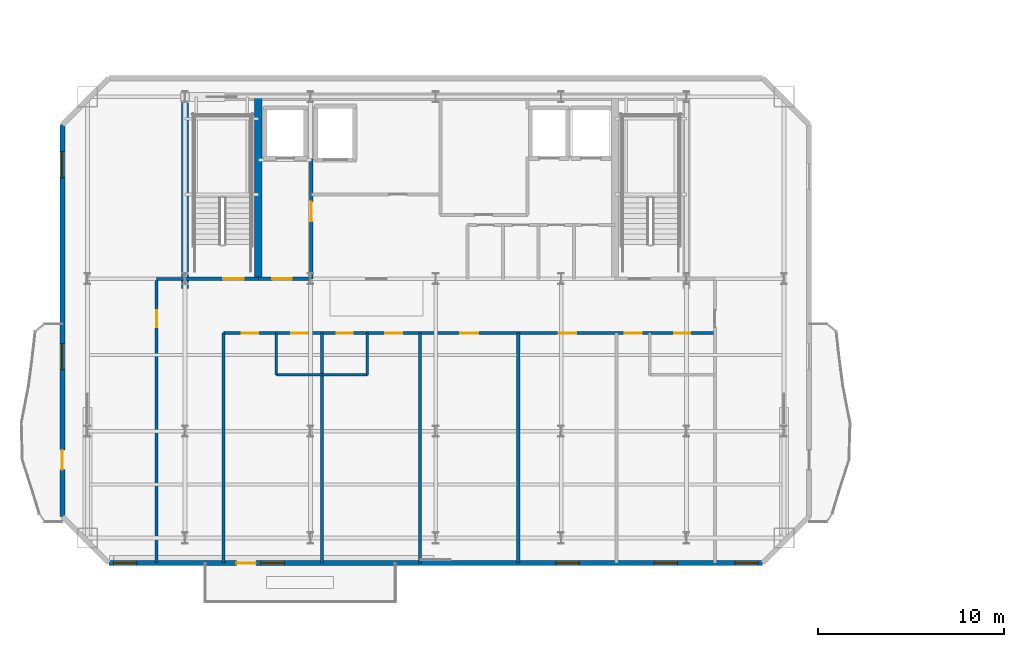
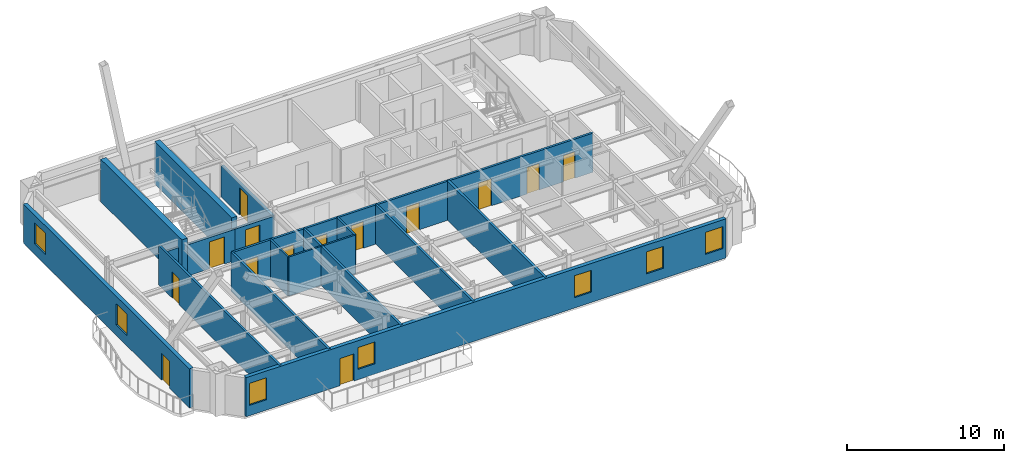
# One storey, part 5 of 14: 18 walls, 14 doors, 7 windows, 21 openings.
"""IFC4 building model written with IfcOpenShell, lengths in metres."""

from ifc_helpers import new_model, si_unit, direction, frame, frame_2d, origin, place, context, subcontext, project, spatial, rectangle, extrude, material, layer, layer_set, type_object, element, fill, save


model = new_model("IFC4")

# Units and contexts
model_context = context("Model", 3, precision=1e-05, world=origin(), true_north=direction((0.0, 1.0)))
body_context = subcontext(model_context, "Body", "Model", "MODEL_VIEW")
ifc_project = project(units=[si_unit("LENGTHUNIT", "METRE"), si_unit("AREAUNIT", "SQUARE_METRE"), si_unit("VOLUMEUNIT", "CUBIC_METRE"), si_unit("PLANEANGLEUNIT", "RADIAN"), si_unit("MASSUNIT", "GRAM", prefix="KILO")], contexts=[model_context])

# Site, building, storey
site_placement = place(None, origin())
site = spatial("IfcSite", under=ifc_project, at=site_placement, CompositionType="ELEMENT")
building_placement = place(site_placement, origin())
building = spatial("IfcBuilding", under=site, at=building_placement, Name="Haevon Station Towers", CompositionType="ELEMENT")
storey_placement = place(building_placement, frame((0.0, 0.0, 228.60009765625)))
storey = spatial("IfcBuildingStorey", under=building, at=storey_placement, Name="L63", CompositionType="ELEMENT", Elevation=228.60009765625)

# Wall
ifc_material_1 = material(Name="Gypsum board on steel stud", Category="steel")
ifc_layer_1 = layer(ifc_material_1, 0.179931640625)
ifc_layer_set_1 = layer_set([ifc_layer_1], Name="Gypsum board on steel stud")
wall_type_1 = type_object("IfcWallType", Name="WL-ACU180", PredefinedType="PARTITIONING", material=ifc_layer_set_1)
wall_1_placement = place(storey_placement, frame((41.947021484375, 22.89990234375, 0.0), z_axis=(0.0, 0.0, 1.0), x_axis=(0.0, 1.0, 0.0)))
element("IfcWall", 1, at=wall_1_placement, inside=storey, type_object=wall_type_1, Name="WL-T1PT-L63-12", PredefinedType="PARTITIONING", context=body_context, shape_type="SweptSolid", body=[
    extrude(rectangle(XDim=12.380126953125, YDim=0.179931640625, at=frame_2d((6.18994140625, 0.0))), origin(), (0.0, 0.0, 1.0), 3.02978515625),
])

# Wall, opening, door
ifc_layer_2 = layer(ifc_material_1, 0.199951171875)
ifc_layer_set_2 = layer_set([ifc_layer_2], Name="Gypsum board on steel stud")
wall_type_2 = type_object("IfcWallType", Name="WL-COR200", PredefinedType="PARTITIONING", material=ifc_layer_set_2)
wall_2_placement = place(storey_placement, frame((24.0, 38.199951171875, 0.0), z_axis=(0.0, 0.0, 1.0), x_axis=(1.0, 0.0, 0.0)))
wall_2 = element("IfcWall", 2, at=wall_2_placement, inside=storey, type_object=wall_type_2, Name="WL-ST-ST1-L63", PredefinedType="PARTITIONING", context=body_context, shape_type="SweptSolid", body=[
    extrude(rectangle(XDim=3.949951171875, YDim=0.199951171875, at=frame_2d((1.97509765625, 0.0))), origin(), (0.0, 0.0, 1.0), 2.429931640625),
])
opening_1_placement = place(wall_2_placement, frame((2.050048828125, 0.0, 0.0)))
opening_1 = element("IfcOpeningElement", 3, at=opening_1_placement, cuts=wall_2, Name="Opening DR-ST-ST1-L63", PredefinedType="OPENING", context=body_context, shape_type="SweptSolid", body=[
    extrude(rectangle(XDim=1.1201171875, YDim=2.10009765625, at=frame_2d((0.56005859375, 1.050048828125))), frame((0.0, 0.10986328125, 0.0), z_axis=(0.0, -1.0, 0.0), x_axis=(1.0, 0.0, 0.0)), (0.0, 0.0, 1.0), 0.219970703125),
])
ifc_material_2 = material(Name="Engineered oak timber", Category="wood")
door_type_1 = type_object("IfcDoorType", Name="DR-ST-1120", OperationType="NOTDEFINED", PredefinedType="DOOR", material=ifc_material_2)
door_1_placement = place(opening_1_placement, origin())
door_1 = element("IfcDoor", 4, at=door_1_placement, inside=storey, type_object=door_type_1, Name="L63 Escape Stair ST1 Fire Door", OperationType="SINGLE_SWING_RIGHT", OverallHeight=2.10009765625, OverallWidth=1.1201171875, PredefinedType="DOOR", context=body_context, shape_type="SweptSolid", body=[
    extrude(rectangle(XDim=1.1201171875, YDim=2.10009765625, at=frame_2d((0.56005859375, 1.050048828125))), frame((0.0, 0.02490234375, 0.0), z_axis=(0.0, -1.0, 0.0), x_axis=(1.0, 0.0, 0.0)), (0.0, 0.0, 1.0), 0.050048828125),
])
fill(opening_1, door_1)

wall_3_placement = place(storey_placement, frame((30.800048828125, 38.199951171875, 0.0), z_axis=(0.0, 0.0, 1.0), x_axis=(0.0, 1.0, 0.0)))
wall_3 = element("IfcWall", 5, at=wall_3_placement, inside=storey, type_object=wall_type_2, Name="WL-T1FFL-L63-E", PredefinedType="PARTITIONING", context=body_context, shape_type="SweptSolid", body=[
    extrude(rectangle(XDim=6.449951171875, YDim=0.199951171875, at=frame_2d((3.22509765625, 0.0))), origin(), (0.0, 0.0, 1.0), 2.429931640625),
])
opening_2_placement = place(wall_3_placement, frame((3.10009765625, 0.0, 0.0)))
opening_2 = element("IfcOpeningElement", 6, at=opening_2_placement, cuts=wall_3, Name="Opening DR-T1FFL-L63-E", PredefinedType="OPENING", context=body_context, shape_type="SweptSolid", body=[
    extrude(rectangle(XDim=1.050048828125, YDim=2.10009765625, at=frame_2d((0.52490234375, 1.050048828125))), frame((0.0, 0.10986328125, 0.0), z_axis=(0.0, -1.0, 0.0), x_axis=(1.0, 0.0, 0.0)), (0.0, 0.0, 1.0), 0.219970703125),
])
door_type_2 = type_object("IfcDoorType", Name="DR-FD60-1050", OperationType="NOTDEFINED", PredefinedType="DOOR", material=ifc_material_2)
door_2_placement = place(opening_2_placement, origin())
door_2 = element("IfcDoor", 7, at=door_2_placement, inside=storey, type_object=door_type_2, Name="L63 Tower 1 Firefighting Lift Lobby Door E", OperationType="SINGLE_SWING_RIGHT", OverallHeight=2.10009765625, OverallWidth=1.050048828125, PredefinedType="DOOR", context=body_context, shape_type="SweptSolid", body=[
    extrude(rectangle(XDim=1.050048828125, YDim=2.10009765625, at=frame_2d((0.52490234375, 1.050048828125))), frame((0.0, 0.02490234375, 0.0), z_axis=(0.0, -1.0, 0.0), x_axis=(1.0, 0.0, 0.0)), (0.0, 0.0, 1.0), 0.050048828125),
])
fill(opening_2, door_2)

wall_4_placement = place(storey_placement, frame((27.949951171875, 38.199951171875, 0.0), z_axis=(0.0, 0.0, 1.0), x_axis=(1.0, 0.0, 0.0)))
wall_4 = element("IfcWall", 8, at=wall_4_placement, inside=storey, type_object=wall_type_2, Name="WL-T1FFL-L63-S", PredefinedType="PARTITIONING", context=body_context, shape_type="SweptSolid", body=[
    extrude(rectangle(XDim=2.85009765625, YDim=0.199951171875, at=frame_2d((1.425048828125, 0.0))), origin(), (0.0, 0.0, 1.0), 2.429931640625),
])
opening_3_placement = place(wall_4_placement, frame((0.75, 0.0, 0.0)))
opening_3 = element("IfcOpeningElement", 9, at=opening_3_placement, cuts=wall_4, Name="Opening DR-T1FFL-L63-S", PredefinedType="OPENING", context=body_context, shape_type="SweptSolid", body=[
    extrude(rectangle(XDim=1.050048828125, YDim=2.10009765625, at=frame_2d((0.52490234375, 1.050048828125))), frame((0.0, 0.10986328125, 0.0), z_axis=(0.0, -1.0, 0.0), x_axis=(1.0, 0.0, 0.0)), (0.0, 0.0, 1.0), 0.219970703125),
])
door_3_placement = place(opening_3_placement, origin())
door_3 = element("IfcDoor", 10, at=door_3_placement, inside=storey, type_object=door_type_2, Name="L63 Tower 1 Firefighting Lift Lobby Door S", OperationType="SINGLE_SWING_LEFT", OverallHeight=2.10009765625, OverallWidth=1.050048828125, PredefinedType="DOOR", context=body_context, shape_type="SweptSolid", body=[
    extrude(rectangle(XDim=1.050048828125, YDim=2.10009765625, at=frame_2d((0.52490234375, 1.050048828125))), frame((0.0, 0.02490234375, 0.0), z_axis=(0.0, -1.0, 0.0), x_axis=(1.0, 0.0, 0.0)), (0.0, 0.0, 1.0), 0.050048828125),
])
fill(opening_3, door_3)

# Walls
ifc_material_3 = material(Name="Concrete C60/75", Category="concrete")
ifc_layer_3 = layer(ifc_material_3, 0.39990234375)
ifc_layer_set_3 = layer_set([ifc_layer_3], Name="Concrete C60/75")
wall_type_3 = type_object("IfcWallType", Name="WL-CR400", PredefinedType="SHEAR", material=ifc_layer_set_3)
wall_5_placement = place(storey_placement, frame((24.0, 37.679931640625, 0.0), z_axis=(0.0, 0.0, 1.0), x_axis=(0.0, 1.0, 0.0)))
element("IfcWall", 11, at=wall_5_placement, inside=storey, type_object=wall_type_3, Name="WL-T1CR-L63-W", PredefinedType="SHEAR", context=body_context, shape_type="SweptSolid", body=[
    extrude(rectangle(XDim=10.320068359375, YDim=0.39990234375, at=frame_2d((5.16015625, 0.0))), origin(), (0.0, 0.0, 1.0), 3.2998046875),
])
wall_6_placement = place(storey_placement, frame((27.949951171875, 38.199951171875, 0.0), z_axis=(0.0, 0.0, 1.0), x_axis=(0.0, 1.0, 0.0)))
element("IfcWall", 12, at=wall_6_placement, inside=storey, type_object=wall_type_3, Name="WL-T1CR-L63-M1", PredefinedType="SHEAR", context=body_context, shape_type="SweptSolid", body=[
    extrude(rectangle(XDim=9.800048828125, YDim=0.39990234375, at=frame_2d((4.89990234375, 0.0))), origin(), (0.0, 0.0, 1.0), 3.2998046875),
])

# Wall, openings, door, windows
ifc_material_4 = material(Name="Precast concrete C45/55", Category="concrete")
ifc_layer_4 = layer(ifc_material_4, 0.280029296875)
ifc_layer_set_4 = layer_set([ifc_layer_4], Name="Precast concrete C45/55")
wall_type_4 = type_object("IfcWallType", Name="WL-EXT-PIER280", PredefinedType="SOLIDWALL", material=ifc_layer_set_4)
wall_7_placement = place(storey_placement, frame((55.10009765625, 22.89990234375, 0.0), z_axis=(0.0, 0.0, 1.0), x_axis=(-1.0, 0.0, 0.0)))
wall_7 = element("IfcWall", 13, at=wall_7_placement, inside=storey, type_object=wall_type_4, Name="WL-T1-L63-S", PredefinedType="SOLIDWALL", context=body_context, shape_type="SweptSolid", body=[
    extrude(rectangle(XDim=35.2001953125, YDim=0.280029296875, at=frame_2d((17.60009765625, 0.0))), origin(), (0.0, 0.0, 1.0), 3.02978515625),
])
opening_4_placement = place(wall_7_placement, frame((27.2900390625, 0.0, 0.0)))
opening_4 = element("IfcOpeningElement", 14, at=opening_4_placement, cuts=wall_7, Name="Opening DR-T1-PBAND-L63-1", PredefinedType="OPENING", context=body_context, shape_type="SweptSolid", body=[
    extrude(rectangle(XDim=1.050048828125, YDim=2.10009765625, at=frame_2d((0.52490234375, 1.050048828125))), frame((0.0, 0.14990234375, 0.0), z_axis=(0.0, -1.0, 0.0), x_axis=(1.0, 0.0, 0.0)), (0.0, 0.0, 1.0), 0.300048828125),
])
opening_5_placement = place(wall_7_placement, frame((33.699951171875, 0.0, 0.800048828125)))
opening_5 = element("IfcOpeningElement", 15, at=opening_5_placement, cuts=wall_7, Name="Opening WN-P125", PredefinedType="OPENING", context=body_context, shape_type="SweptSolid", body=[
    extrude(rectangle(XDim=1.25, YDim=1.699951171875, at=frame_2d((0.625, 0.85009765625))), frame((0.0, 0.14990234375, 0.0), z_axis=(0.0, -1.0, 0.0), x_axis=(1.0, 0.0, 0.0)), (0.0, 0.0, 1.0), 0.300048828125),
])
opening_6_placement = place(wall_7_placement, frame((0.25, 0.0, 0.800048828125)))
opening_6 = element("IfcOpeningElement", 16, at=opening_6_placement, cuts=wall_7, Name="Opening WN-P125", PredefinedType="OPENING", context=body_context, shape_type="SweptSolid", body=[
    extrude(rectangle(XDim=1.25, YDim=1.699951171875, at=frame_2d((0.625, 0.85009765625))), frame((0.0, 0.14990234375, 0.0), z_axis=(0.0, -1.0, 0.0), x_axis=(1.0, 0.0, 0.0)), (0.0, 0.0, 1.0), 0.300048828125),
])
opening_7_placement = place(wall_7_placement, frame((25.75048828125, 0.0, 0.800048828125)))
opening_7 = element("IfcOpeningElement", 17, at=opening_7_placement, cuts=wall_7, Name="Opening WN-P125", PredefinedType="OPENING", context=body_context, shape_type="SweptSolid", body=[
    extrude(rectangle(XDim=1.25, YDim=1.699951171875, at=frame_2d((0.625, 0.85009765625))), frame((0.0, 0.14990234375, 0.0), z_axis=(0.0, -1.0, 0.0), x_axis=(1.0, 0.0, 0.0)), (0.0, 0.0, 1.0), 0.300048828125),
])
opening_8_placement = place(wall_7_placement, frame((9.883544921875, 0.0, 0.800048828125)))
opening_8 = element("IfcOpeningElement", 18, at=opening_8_placement, cuts=wall_7, Name="Opening WN-P125", PredefinedType="OPENING", context=body_context, shape_type="SweptSolid", body=[
    extrude(rectangle(XDim=1.25, YDim=1.699951171875, at=frame_2d((0.625, 0.85009765625))), frame((0.0, 0.14990234375, 0.0), z_axis=(0.0, -1.0, 0.0), x_axis=(1.0, 0.0, 0.0)), (0.0, 0.0, 1.0), 0.300048828125),
])
opening_9_placement = place(wall_7_placement, frame((4.594482421875, 0.0, 0.800048828125)))
opening_9 = element("IfcOpeningElement", 19, at=opening_9_placement, cuts=wall_7, Name="Opening WN-P125", PredefinedType="OPENING", context=body_context, shape_type="SweptSolid", body=[
    extrude(rectangle(XDim=1.25, YDim=1.699951171875, at=frame_2d((0.625, 0.85009765625))), frame((0.0, 0.14990234375, 0.0), z_axis=(0.0, -1.0, 0.0), x_axis=(1.0, 0.0, 0.0)), (0.0, 0.0, 1.0), 0.300048828125),
])
ifc_material_5 = material(Name="Thermally broken anodised aluminium and laminated safety glass", Category="aluminium")
door_type_3 = type_object("IfcDoorType", Name="DR-BALC-1050", OperationType="NOTDEFINED", PredefinedType="DOOR", material=ifc_material_5)
door_4_placement = place(opening_4_placement, origin())
door_4 = element("IfcDoor", 20, at=door_4_placement, inside=storey, type_object=door_type_3, Name="Tower 1 L63 Balcony Terrace Door", OperationType="SINGLE_SWING_LEFT", OverallHeight=2.10009765625, OverallWidth=1.050048828125, PredefinedType="DOOR", context=body_context, shape_type="SweptSolid", body=[
    extrude(rectangle(XDim=1.050048828125, YDim=2.10009765625, at=frame_2d((0.52490234375, 1.050048828125))), frame((0.0, 0.02490234375, 0.0), z_axis=(0.0, -1.0, 0.0), x_axis=(1.0, 0.0, 0.0)), (0.0, 0.0, 1.0), 0.050048828125),
])
fill(opening_4, door_4)
ifc_material_6 = material(Name="Low-E triple glazing in thermally broken aluminium", Category="aluminium")
window_type_1 = type_object("IfcWindowType", Name="WN-P125", PartitioningType="SINGLE_PANEL", PredefinedType="WINDOW", material=ifc_material_6)
window_1_placement = place(opening_5_placement, origin())
window_1 = element("IfcWindow", 21, at=window_1_placement, inside=storey, type_object=window_type_1, Name="WN-T1-L63-S01", OverallHeight=1.699951171875, OverallWidth=1.25, PartitioningType="SINGLE_PANEL", PredefinedType="WINDOW", context=body_context, shape_type="SweptSolid", body=[
    extrude(rectangle(XDim=1.25, YDim=1.699951171875, at=frame_2d((0.625, 0.85009765625))), frame((0.0, 0.030029296875, 0.0), z_axis=(0.0, -1.0, 0.0), x_axis=(1.0, 0.0, 0.0)), (0.0, 0.0, 1.0), 0.06005859375),
])
fill(opening_5, window_1)
window_2_placement = place(opening_6_placement, origin())
window_2 = element("IfcWindow", 22, at=window_2_placement, inside=storey, type_object=window_type_1, Name="WN-T1-L63-S02", OverallHeight=1.699951171875, OverallWidth=1.25, PartitioningType="SINGLE_PANEL", PredefinedType="WINDOW", context=body_context, shape_type="SweptSolid", body=[
    extrude(rectangle(XDim=1.25, YDim=1.699951171875, at=frame_2d((0.625, 0.85009765625))), frame((0.0, 0.030029296875, 0.0), z_axis=(0.0, -1.0, 0.0), x_axis=(1.0, 0.0, 0.0)), (0.0, 0.0, 1.0), 0.06005859375),
])
fill(opening_6, window_2)
window_3_placement = place(opening_7_placement, origin())
window_3 = element("IfcWindow", 23, at=window_3_placement, inside=storey, type_object=window_type_1, Name="WN-T1-L63-S03", OverallHeight=1.699951171875, OverallWidth=1.25, PartitioningType="SINGLE_PANEL", PredefinedType="WINDOW", context=body_context, shape_type="SweptSolid", body=[
    extrude(rectangle(XDim=1.25, YDim=1.699951171875, at=frame_2d((0.625, 0.85009765625))), frame((0.0, 0.030029296875, 0.0), z_axis=(0.0, -1.0, 0.0), x_axis=(1.0, 0.0, 0.0)), (0.0, 0.0, 1.0), 0.06005859375),
])
fill(opening_7, window_3)
window_4_placement = place(opening_8_placement, origin())
window_4 = element("IfcWindow", 24, at=window_4_placement, inside=storey, type_object=window_type_1, Name="WN-T1-L63-S04", OverallHeight=1.699951171875, OverallWidth=1.25, PartitioningType="SINGLE_PANEL", PredefinedType="WINDOW", context=body_context, shape_type="SweptSolid", body=[
    extrude(rectangle(XDim=1.25, YDim=1.699951171875, at=frame_2d((0.625, 0.85009765625))), frame((0.0, 0.030029296875, 0.0), z_axis=(0.0, -1.0, 0.0), x_axis=(1.0, 0.0, 0.0)), (0.0, 0.0, 1.0), 0.06005859375),
])
fill(opening_8, window_4)
window_5_placement = place(opening_9_placement, origin())
window_5 = element("IfcWindow", 25, at=window_5_placement, inside=storey, type_object=window_type_1, Name="WN-T1-L63-S05", OverallHeight=1.699951171875, OverallWidth=1.25, PartitioningType="SINGLE_PANEL", PredefinedType="WINDOW", context=body_context, shape_type="SweptSolid", body=[
    extrude(rectangle(XDim=1.25, YDim=1.699951171875, at=frame_2d((0.625, 0.85009765625))), frame((0.0, 0.030029296875, 0.0), z_axis=(0.0, -1.0, 0.0), x_axis=(1.0, 0.0, 0.0)), (0.0, 0.0, 1.0), 0.06005859375),
])
fill(opening_9, window_5)

wall_8_placement = place(storey_placement, frame((17.39990234375, 25.39990234375, 0.0), z_axis=(0.0, 0.0, 1.0), x_axis=(0.0, 1.0, 0.0)))
wall_8 = element("IfcWall", 26, at=wall_8_placement, inside=storey, type_object=wall_type_4, Name="WL-T1-L63-W", PredefinedType="SOLIDWALL", context=body_context, shape_type="SweptSolid", body=[
    extrude(rectangle(XDim=21.10009765625, YDim=0.280029296875, at=frame_2d((10.550048828125, 0.0))), origin(), (0.0, 0.0, 1.0), 3.02978515625),
])
opening_10_placement = place(wall_8_placement, frame((2.52490234375, 0.0, 0.0)))
opening_10 = element("IfcOpeningElement", 27, at=opening_10_placement, cuts=wall_8, Name="Opening DR-T1-SCAL-L63-W", PredefinedType="OPENING", context=body_context, shape_type="SweptSolid", body=[
    extrude(rectangle(XDim=1.050048828125, YDim=2.10009765625, at=frame_2d((0.52490234375, 1.050048828125))), frame((0.0, 0.14990234375, 0.0), z_axis=(0.0, -1.0, 0.0), x_axis=(1.0, 0.0, 0.0)), (0.0, 0.0, 1.0), 0.300048828125),
])
opening_11_placement = place(wall_8_placement, frame((7.91064453125, 0.0, 0.800048828125)))
opening_11 = element("IfcOpeningElement", 28, at=opening_11_placement, cuts=wall_8, Name="Opening WN-END140", PredefinedType="OPENING", context=body_context, shape_type="SweptSolid", body=[
    extrude(rectangle(XDim=1.39990234375, YDim=1.64990234375, at=frame_2d((0.699951171875, 0.824951171875))), frame((0.0, 0.14990234375, 0.0), z_axis=(0.0, -1.0, 0.0), x_axis=(1.0, 0.0, 0.0)), (0.0, 0.0, 1.0), 0.300048828125),
])
opening_12_placement = place(wall_8_placement, frame((18.253662109375, 0.0, 0.800048828125)))
opening_12 = element("IfcOpeningElement", 29, at=opening_12_placement, cuts=wall_8, Name="Opening WN-END140", PredefinedType="OPENING", context=body_context, shape_type="SweptSolid", body=[
    extrude(rectangle(XDim=1.39990234375, YDim=1.64990234375, at=frame_2d((0.699951171875, 0.824951171875))), frame((0.0, 0.14990234375, 0.0), z_axis=(0.0, -1.0, 0.0), x_axis=(1.0, 0.0, 0.0)), (0.0, 0.0, 1.0), 0.300048828125),
])
door_5_placement = place(opening_10_placement, origin())
door_5 = element("IfcDoor", 30, at=door_5_placement, inside=storey, type_object=door_type_3, Name="Tower 1 L63 West Scalloped Balcony Door", OperationType="SINGLE_SWING_RIGHT", OverallHeight=2.10009765625, OverallWidth=1.050048828125, PredefinedType="DOOR", context=body_context, shape_type="SweptSolid", body=[
    extrude(rectangle(XDim=1.050048828125, YDim=2.10009765625, at=frame_2d((0.52490234375, 1.050048828125))), frame((0.0, 0.02490234375, 0.0), z_axis=(0.0, -1.0, 0.0), x_axis=(1.0, 0.0, 0.0)), (0.0, 0.0, 1.0), 0.050048828125),
])
fill(opening_10, door_5)
window_type_2 = type_object("IfcWindowType", Name="WN-END140", PartitioningType="SINGLE_PANEL", PredefinedType="WINDOW", material=ifc_material_6)
window_6_placement = place(opening_11_placement, origin())
window_6 = element("IfcWindow", 31, at=window_6_placement, inside=storey, type_object=window_type_2, Name="WN-T1-L63-W01", OverallHeight=1.64990234375, OverallWidth=1.39990234375, PartitioningType="SINGLE_PANEL", PredefinedType="WINDOW", context=body_context, shape_type="SweptSolid", body=[
    extrude(rectangle(XDim=1.39990234375, YDim=1.64990234375, at=frame_2d((0.699951171875, 0.824951171875))), frame((0.0, 0.030029296875, 0.0), z_axis=(0.0, -1.0, 0.0), x_axis=(1.0, 0.0, 0.0)), (0.0, 0.0, 1.0), 0.06005859375),
])
fill(opening_11, window_6)
window_7_placement = place(opening_12_placement, origin())
window_7 = element("IfcWindow", 32, at=window_7_placement, inside=storey, type_object=window_type_2, Name="WN-T1-L63-W02", OverallHeight=1.64990234375, OverallWidth=1.39990234375, PartitioningType="SINGLE_PANEL", PredefinedType="WINDOW", context=body_context, shape_type="SweptSolid", body=[
    extrude(rectangle(XDim=1.39990234375, YDim=1.64990234375, at=frame_2d((0.699951171875, 0.824951171875))), frame((0.0, 0.030029296875, 0.0), z_axis=(0.0, -1.0, 0.0), x_axis=(1.0, 0.0, 0.0)), (0.0, 0.0, 1.0), 0.06005859375),
])
fill(opening_12, window_7)

# Walls
ifc_layer_5 = layer(ifc_material_1, 0.125)
ifc_layer_set_5 = layer_set([ifc_layer_5], Name="Gypsum board on steel stud")
wall_type_5 = type_object("IfcWallType", Name="WL-PRT125", PredefinedType="PARTITIONING", material=ifc_layer_set_5)
wall_9_placement = place(storey_placement, frame((28.9189453125, 33.030029296875, 0.0), z_axis=(0.0, 0.0, 1.0), x_axis=(1.0, 0.0, 0.0)))
element("IfcWall", 33, at=wall_9_placement, inside=storey, type_object=wall_type_5, Name="WL-T1PT-L63-06", PredefinedType="PARTITIONING", context=body_context, shape_type="SweptSolid", body=[
    extrude(rectangle(XDim=2.449951171875, YDim=0.125, at=frame_2d((1.22509765625, 0.0))), origin(), (0.0, 0.0, 1.0), 3.02978515625),
])
wall_10_placement = place(storey_placement, frame((28.9189453125, 33.030029296875, 0.0), z_axis=(0.0, 0.0, 1.0), x_axis=(0.0, 1.0, 0.0)))
element("IfcWall", 34, at=wall_10_placement, inside=storey, type_object=wall_type_5, Name="WL-T1PT-L63-07", PredefinedType="PARTITIONING", context=body_context, shape_type="SweptSolid", body=[
    extrude(rectangle(XDim=2.25, YDim=0.125, at=frame_2d((1.125, 0.0))), origin(), (0.0, 0.0, 1.0), 3.02978515625),
])
wall_11_placement = place(storey_placement, frame((31.368896484375, 33.030029296875, 0.0), z_axis=(0.0, 0.0, 1.0), x_axis=(1.0, 0.0, 0.0)))
element("IfcWall", 35, at=wall_11_placement, inside=storey, type_object=wall_type_5, Name="WL-T1PT-L63-09", PredefinedType="PARTITIONING", context=body_context, shape_type="SweptSolid", body=[
    extrude(rectangle(XDim=2.4501953125, YDim=0.125, at=frame_2d((1.22509765625, 0.0))), origin(), (0.0, 0.0, 1.0), 3.02978515625),
])
wall_12_placement = place(storey_placement, frame((33.819091796875, 33.030029296875, 0.0), z_axis=(0.0, 0.0, 1.0), x_axis=(0.0, 1.0, 0.0)))
element("IfcWall", 36, at=wall_12_placement, inside=storey, type_object=wall_type_5, Name="WL-T1PT-L63-10", PredefinedType="PARTITIONING", context=body_context, shape_type="SweptSolid", body=[
    extrude(rectangle(XDim=2.25, YDim=0.125, at=frame_2d((1.125, 0.0))), origin(), (0.0, 0.0, 1.0), 3.02978515625),
])
ifc_layer_6 = layer(ifc_material_1, 0.159912109375)
ifc_layer_set_6 = layer_set([ifc_layer_6], Name="Gypsum board on steel stud")
wall_type_6 = type_object("IfcWallType", Name="WL-PRT160", PredefinedType="PARTITIONING", material=ifc_layer_set_6)
wall_13_placement = place(storey_placement, frame((26.080078125, 22.89990234375, 0.0), z_axis=(0.0, 0.0, 1.0), x_axis=(0.0, 1.0, 0.0)))
element("IfcWall", 37, at=wall_13_placement, inside=storey, type_object=wall_type_6, Name="WL-T1PT-L63-01", PredefinedType="PARTITIONING", context=body_context, shape_type="SweptSolid", body=[
    extrude(rectangle(XDim=12.380126953125, YDim=0.159912109375, at=frame_2d((6.18994140625, 0.0))), origin(), (0.0, 0.0, 1.0), 3.02978515625),
])
wall_14_placement = place(storey_placement, frame((22.47509765625, 38.199951171875, 0.0), z_axis=(0.0, 0.0, 1.0), x_axis=(1.0, 0.0, 0.0)))
element("IfcWall", 38, at=wall_14_placement, inside=storey, type_object=wall_type_6, Name="WL-T1PT-L63-02", PredefinedType="PARTITIONING", context=body_context, shape_type="SweptSolid", body=[
    extrude(rectangle(XDim=1.52490234375, YDim=0.159912109375, at=frame_2d((0.762451171875, 0.0))), origin(), (0.0, 0.0, 1.0), 2.429931640625),
])

# Wall, opening, door
wall_15_placement = place(storey_placement, frame((22.47509765625, 22.89990234375, 0.0), z_axis=(0.0, 0.0, 1.0), x_axis=(0.0, 1.0, 0.0)))
wall_15 = element("IfcWall", 39, at=wall_15_placement, inside=storey, type_object=wall_type_6, Name="WL-T1PT-L63-04", PredefinedType="PARTITIONING", context=body_context, shape_type="SweptSolid", body=[
    extrude(rectangle(XDim=15.300048828125, YDim=0.159912109375, at=frame_2d((7.64990234375, 0.0))), origin(), (0.0, 0.0, 1.0), 3.02978515625),
])
opening_13_placement = place(wall_15_placement, frame((12.699951171875, 0.0, 0.0)))
opening_13 = element("IfcOpeningElement", 40, at=opening_13_placement, cuts=wall_15, Name="Opening DR-WL-T1PT-L63-04-01", PredefinedType="OPENING", context=body_context, shape_type="SweptSolid", body=[
    extrude(rectangle(XDim=0.89990234375, YDim=2.050048828125, at=frame_2d((0.449951171875, 1.02490234375))), frame((0.0, 0.08984375, 0.0), z_axis=(0.0, -1.0, 0.0), x_axis=(1.0, 0.0, 0.0)), (0.0, 0.0, 1.0), 0.179931640625),
])
door_type_4 = type_object("IfcDoorType", Name="DR-INT-900", OperationType="NOTDEFINED", PredefinedType="DOOR", material=ifc_material_2)
door_6_placement = place(opening_13_placement, origin())
door_6 = element("IfcDoor", 41, at=door_6_placement, inside=storey, type_object=door_type_4, Name="L63 Tower 1 Room Door 4-1", OperationType="SINGLE_SWING_LEFT", OverallHeight=2.050048828125, OverallWidth=0.89990234375, PredefinedType="DOOR", context=body_context, shape_type="SweptSolid", body=[
    extrude(rectangle(XDim=0.89990234375, YDim=2.050048828125, at=frame_2d((0.449951171875, 1.02490234375))), frame((0.0, 0.02490234375, 0.0), z_axis=(0.0, -1.0, 0.0), x_axis=(1.0, 0.0, 0.0)), (0.0, 0.0, 1.0), 0.050048828125),
])
fill(opening_13, door_6)

# Walls
for number, where, z_axis, x_axis, name in (
    (42, (31.368896484375, 22.89990234375, 0.0), (0.0, 0.0, 1.0), (0.0, 1.0, 0.0), "WL-T1PT-L63-08"),
    (43, (36.657958984375, 22.89990234375, 0.0), (0.0, 0.0, 1.0), (0.0, 1.0, 0.0), "WL-T1PT-L63-11"),
):
    element("IfcWall", number, at=place(storey_placement, frame(where, z_axis=z_axis, x_axis=x_axis)), inside=storey, type_object=wall_type_6, Name=name, PredefinedType="PARTITIONING", context=body_context, shape_type="SweptSolid", body=[
        extrude(rectangle(XDim=12.380126953125, YDim=0.159912109375, at=frame_2d((6.18994140625, 0.0))), origin(), (0.0, 0.0, 1.0), 3.02978515625),
    ])

# Wall, openings, doors
wall_16_placement = place(storey_placement, frame((26.080078125, 35.280029296875, 0.0), z_axis=(0.0, 0.0, 1.0), x_axis=(1.0, 0.0, 0.0)))
wall_16 = element("IfcWall", 44, at=wall_16_placement, inside=storey, type_object=wall_type_6, Name="WL-T1PT-L63-16", PredefinedType="PARTITIONING", context=body_context, shape_type="SweptSolid", body=[
    extrude(rectangle(XDim=26.44482421875, YDim=0.159912109375, at=frame_2d((13.222412109375, 0.0))), origin(), (0.0, 0.0, 1.0), 3.02978515625),
])
opening_14_placement = place(wall_16_placement, frame((3.638916015625, 0.0, 0.0)))
opening_14 = element("IfcOpeningElement", 45, at=opening_14_placement, cuts=wall_16, Name="Opening DR-WL-T1PT-L63-16-01", PredefinedType="OPENING", context=body_context, shape_type="SweptSolid", body=[
    extrude(rectangle(XDim=0.85009765625, YDim=2.050048828125, at=frame_2d((0.425048828125, 1.02490234375))), frame((0.0, 0.08984375, 0.0), z_axis=(0.0, -1.0, 0.0), x_axis=(1.0, 0.0, 0.0)), (0.0, 0.0, 1.0), 0.179931640625),
])
opening_15_placement = place(wall_16_placement, frame((0.968994140625, 0.0, 0.0)))
opening_15 = element("IfcOpeningElement", 46, at=opening_15_placement, cuts=wall_16, Name="Opening DR-WL-T1PT-L63-16-02", PredefinedType="OPENING", context=body_context, shape_type="SweptSolid", body=[
    extrude(rectangle(XDim=0.89990234375, YDim=2.050048828125, at=frame_2d((0.449951171875, 1.02490234375))), frame((0.0, 0.08984375, 0.0), z_axis=(0.0, -1.0, 0.0), x_axis=(1.0, 0.0, 0.0)), (0.0, 0.0, 1.0), 0.179931640625),
])
opening_16_placement = place(wall_16_placement, frame((6.089111328125, 0.0, 0.0)))
opening_16 = element("IfcOpeningElement", 47, at=opening_16_placement, cuts=wall_16, Name="Opening DR-WL-T1PT-L63-16-03", PredefinedType="OPENING", context=body_context, shape_type="SweptSolid", body=[
    extrude(rectangle(XDim=0.85009765625, YDim=2.050048828125, at=frame_2d((0.425048828125, 1.02490234375))), frame((0.0, 0.08984375, 0.0), z_axis=(0.0, -1.0, 0.0), x_axis=(1.0, 0.0, 0.0)), (0.0, 0.0, 1.0), 0.179931640625),
])
opening_17_placement = place(wall_16_placement, frame((8.708984375, 0.0, 0.0)))
opening_17 = element("IfcOpeningElement", 48, at=opening_17_placement, cuts=wall_16, Name="Opening DR-WL-T1PT-L63-16-04", PredefinedType="OPENING", context=body_context, shape_type="SweptSolid", body=[
    extrude(rectangle(XDim=0.89990234375, YDim=2.050048828125, at=frame_2d((0.449951171875, 1.02490234375))), frame((0.0, 0.08984375, 0.0), z_axis=(0.0, -1.0, 0.0), x_axis=(1.0, 0.0, 0.0)), (0.0, 0.0, 1.0), 0.179931640625),
])
opening_18_placement = place(wall_16_placement, frame((12.748046875, 0.0, 0.0)))
opening_18 = element("IfcOpeningElement", 49, at=opening_18_placement, cuts=wall_16, Name="Opening DR-WL-T1PT-L63-16-05", PredefinedType="OPENING", context=body_context, shape_type="SweptSolid", body=[
    extrude(rectangle(XDim=0.949951171875, YDim=2.10009765625, at=frame_2d((0.47509765625, 1.050048828125))), frame((0.0, 0.08984375, 0.0), z_axis=(0.0, -1.0, 0.0), x_axis=(1.0, 0.0, 0.0)), (0.0, 0.0, 1.0), 0.179931640625),
])
opening_19_placement = place(wall_16_placement, frame((18.035888671875, 0.0, 0.0)))
opening_19 = element("IfcOpeningElement", 50, at=opening_19_placement, cuts=wall_16, Name="Opening DR-WL-T1PT-L63-16-06", PredefinedType="OPENING", context=body_context, shape_type="SweptSolid", body=[
    extrude(rectangle(XDim=0.949951171875, YDim=2.10009765625, at=frame_2d((0.47509765625, 1.050048828125))), frame((0.0, 0.08984375, 0.0), z_axis=(0.0, -1.0, 0.0), x_axis=(1.0, 0.0, 0.0)), (0.0, 0.0, 1.0), 0.179931640625),
])
opening_20_placement = place(wall_16_placement, frame((24.264892578125, 0.0, 0.0)))
opening_20 = element("IfcOpeningElement", 51, at=opening_20_placement, cuts=wall_16, Name="Opening DR-WL-T1PT-L63-16-07", PredefinedType="OPENING", context=body_context, shape_type="SweptSolid", body=[
    extrude(rectangle(XDim=0.85009765625, YDim=2.050048828125, at=frame_2d((0.425048828125, 1.02490234375))), frame((0.0, 0.08984375, 0.0), z_axis=(0.0, -1.0, 0.0), x_axis=(1.0, 0.0, 0.0)), (0.0, 0.0, 1.0), 0.179931640625),
])
opening_21_placement = place(wall_16_placement, frame((21.595947265625, 0.0, 0.0)))
opening_21 = element("IfcOpeningElement", 52, at=opening_21_placement, cuts=wall_16, Name="Opening DR-WL-T1PT-L63-16-08", PredefinedType="OPENING", context=body_context, shape_type="SweptSolid", body=[
    extrude(rectangle(XDim=0.89990234375, YDim=2.050048828125, at=frame_2d((0.449951171875, 1.02490234375))), frame((0.0, 0.08984375, 0.0), z_axis=(0.0, -1.0, 0.0), x_axis=(1.0, 0.0, 0.0)), (0.0, 0.0, 1.0), 0.179931640625),
])
door_type_5 = type_object("IfcDoorType", Name="DR-FD30-850", OperationType="NOTDEFINED", PredefinedType="DOOR", material=ifc_material_2)
door_7_placement = place(opening_14_placement, origin())
door_7 = element("IfcDoor", 53, at=door_7_placement, inside=storey, type_object=door_type_5, Name="L63 Tower 1 Room Door 16-1", OperationType="SINGLE_SWING_LEFT", OverallHeight=2.050048828125, OverallWidth=0.85009765625, PredefinedType="DOOR", context=body_context, shape_type="SweptSolid", body=[
    extrude(rectangle(XDim=0.85009765625, YDim=2.050048828125, at=frame_2d((0.425048828125, 1.02490234375))), frame((0.0, 0.02490234375, 0.0), z_axis=(0.0, -1.0, 0.0), x_axis=(1.0, 0.0, 0.0)), (0.0, 0.0, 1.0), 0.050048828125),
])
fill(opening_14, door_7)
door_8_placement = place(opening_16_placement, origin())
door_8 = element("IfcDoor", 54, at=door_8_placement, inside=storey, type_object=door_type_5, Name="L63 Tower 1 Room Door 16-3", OperationType="SINGLE_SWING_LEFT", OverallHeight=2.050048828125, OverallWidth=0.85009765625, PredefinedType="DOOR", context=body_context, shape_type="SweptSolid", body=[
    extrude(rectangle(XDim=0.85009765625, YDim=2.050048828125, at=frame_2d((0.425048828125, 1.02490234375))), frame((0.0, 0.02490234375, 0.0), z_axis=(0.0, -1.0, 0.0), x_axis=(1.0, 0.0, 0.0)), (0.0, 0.0, 1.0), 0.050048828125),
])
fill(opening_16, door_8)
door_9_placement = place(opening_20_placement, origin())
door_9 = element("IfcDoor", 55, at=door_9_placement, inside=storey, type_object=door_type_5, Name="L63 Tower 1 Room Door 16-7", OperationType="SINGLE_SWING_LEFT", OverallHeight=2.050048828125, OverallWidth=0.85009765625, PredefinedType="DOOR", context=body_context, shape_type="SweptSolid", body=[
    extrude(rectangle(XDim=0.85009765625, YDim=2.050048828125, at=frame_2d((0.425048828125, 1.02490234375))), frame((0.0, 0.02490234375, 0.0), z_axis=(0.0, -1.0, 0.0), x_axis=(1.0, 0.0, 0.0)), (0.0, 0.0, 1.0), 0.050048828125),
])
fill(opening_20, door_9)
door_type_6 = type_object("IfcDoorType", Name="DR-FD30-950", OperationType="NOTDEFINED", PredefinedType="DOOR", material=ifc_material_2)
door_10_placement = place(opening_18_placement, origin())
door_10 = element("IfcDoor", 56, at=door_10_placement, inside=storey, type_object=door_type_6, Name="L63 Tower 1 Room Door 16-5", OperationType="SINGLE_SWING_LEFT", OverallHeight=2.10009765625, OverallWidth=0.949951171875, PredefinedType="DOOR", context=body_context, shape_type="SweptSolid", body=[
    extrude(rectangle(XDim=0.949951171875, YDim=2.10009765625, at=frame_2d((0.47509765625, 1.050048828125))), frame((0.0, 0.02490234375, 0.0), z_axis=(0.0, -1.0, 0.0), x_axis=(1.0, 0.0, 0.0)), (0.0, 0.0, 1.0), 0.050048828125),
])
fill(opening_18, door_10)
door_11_placement = place(opening_19_placement, origin())
door_11 = element("IfcDoor", 57, at=door_11_placement, inside=storey, type_object=door_type_6, Name="L63 Tower 1 Room Door 16-6", OperationType="SINGLE_SWING_RIGHT", OverallHeight=2.10009765625, OverallWidth=0.949951171875, PredefinedType="DOOR", context=body_context, shape_type="SweptSolid", body=[
    extrude(rectangle(XDim=0.949951171875, YDim=2.10009765625, at=frame_2d((0.47509765625, 1.050048828125))), frame((0.0, 0.02490234375, 0.0), z_axis=(0.0, -1.0, 0.0), x_axis=(1.0, 0.0, 0.0)), (0.0, 0.0, 1.0), 0.050048828125),
])
fill(opening_19, door_11)
door_12_placement = place(opening_15_placement, origin())
door_12 = element("IfcDoor", 58, at=door_12_placement, inside=storey, type_object=door_type_4, Name="L63 Tower 1 Room Door 16-2", OperationType="SINGLE_SWING_RIGHT", OverallHeight=2.050048828125, OverallWidth=0.89990234375, PredefinedType="DOOR", context=body_context, shape_type="SweptSolid", body=[
    extrude(rectangle(XDim=0.89990234375, YDim=2.050048828125, at=frame_2d((0.449951171875, 1.02490234375))), frame((0.0, 0.02490234375, 0.0), z_axis=(0.0, -1.0, 0.0), x_axis=(1.0, 0.0, 0.0)), (0.0, 0.0, 1.0), 0.050048828125),
])
fill(opening_15, door_12)
door_13_placement = place(opening_17_placement, origin())
door_13 = element("IfcDoor", 59, at=door_13_placement, inside=storey, type_object=door_type_4, Name="L63 Tower 1 Room Door 16-4", OperationType="SINGLE_SWING_RIGHT", OverallHeight=2.050048828125, OverallWidth=0.89990234375, PredefinedType="DOOR", context=body_context, shape_type="SweptSolid", body=[
    extrude(rectangle(XDim=0.89990234375, YDim=2.050048828125, at=frame_2d((0.449951171875, 1.02490234375))), frame((0.0, 0.02490234375, 0.0), z_axis=(0.0, -1.0, 0.0), x_axis=(1.0, 0.0, 0.0)), (0.0, 0.0, 1.0), 0.050048828125),
])
fill(opening_17, door_13)
door_14_placement = place(opening_21_placement, origin())
door_14 = element("IfcDoor", 60, at=door_14_placement, inside=storey, type_object=door_type_4, Name="L63 Tower 1 Room Door 16-8", OperationType="SINGLE_SWING_RIGHT", OverallHeight=2.050048828125, OverallWidth=0.89990234375, PredefinedType="DOOR", context=body_context, shape_type="SweptSolid", body=[
    extrude(rectangle(XDim=0.89990234375, YDim=2.050048828125, at=frame_2d((0.449951171875, 1.02490234375))), frame((0.0, 0.02490234375, 0.0), z_axis=(0.0, -1.0, 0.0), x_axis=(1.0, 0.0, 0.0)), (0.0, 0.0, 1.0), 0.050048828125),
])
fill(opening_21, door_14)

save(model, "model.ifc")
